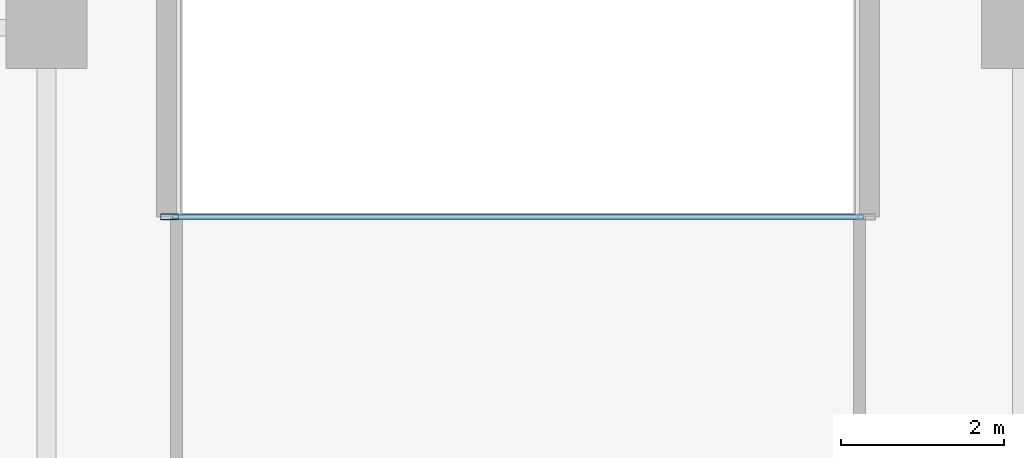
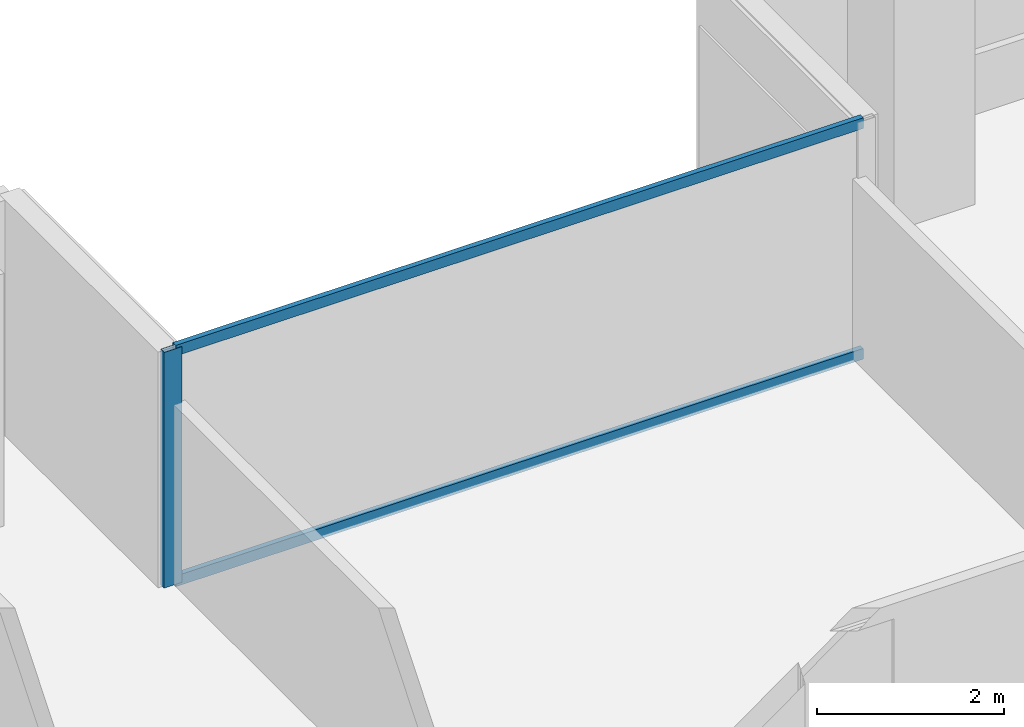
# One storey, part 6 of 23: 3 members, 1 element without a shape of its own.
"""IFC4 building model written with IfcOpenShell, lengths in metres."""

from ifc_helpers import new_model, si_unit, direction, frame, origin, origin_2d, place, context, subcontext, project, spatial, hollow_rectangle, extrude, material, layer, layer_set, material_profile, profile_set, type_object, element, aggregate, save


model = new_model("IFC4")

# Units and contexts
model_context = context("Model", 3, precision=1e-05, world=origin(), true_north=direction((0.0, 1.0)))
body_context = subcontext(model_context, "Body", "Model", "MODEL_VIEW")
ifc_project = project(units=[si_unit("LENGTHUNIT", "METRE"), si_unit("AREAUNIT", "SQUARE_METRE"), si_unit("VOLUMEUNIT", "CUBIC_METRE"), si_unit("PLANEANGLEUNIT", "RADIAN"), si_unit("MASSUNIT", "GRAM", prefix="KILO")], contexts=[model_context])

# Site, building, storey
site_placement = place(None, origin())
site = spatial("IfcSite", under=ifc_project, at=site_placement, CompositionType="ELEMENT")
building_placement = place(site_placement, origin())
building = spatial("IfcBuilding", under=site, at=building_placement, Name="Tanjung Sevakor Pilgrim Tower", CompositionType="ELEMENT")
storey_placement = place(building_placement, frame((0.0, 0.0, 98.669921875)))
storey = spatial("IfcBuildingStorey", under=building, at=storey_placement, Name="L27", CompositionType="ELEMENT", Elevation=98.669921875)

# Curtain wall, members
ifc_material_1 = material(Name="Aluminium 6063-T6 and Low-E Glass", Category="aluminium")
ifc_layer = layer(ifc_material_1, 0.179931640625)
ifc_layer_set = layer_set([ifc_layer], Name="CW-SYS-CLEFT")
curtain_wall_type = type_object("IfcCurtainWallType", Name="CW-SYS-CLEFT", PredefinedType="NOTDEFINED", material=ifc_layer_set)
curtain_wall_placement = place(storey_placement, origin())
curtain_wall = element("IfcCurtainWall", 1, at=curtain_wall_placement, inside=storey, type_object=curtain_wall_type, Name="L27 Curtain Wall CW-CLF-L27-10", PredefinedType="NOTDEFINED")
ifc_material_2 = material(Name="Aluminium 6063-T6", Category="aluminium")
ifc_material_profile_1 = material_profile(ifc_material_2, hollow_rectangle(XDim=0.074951171875, YDim=0.219970703125, WallThickness=0.0048828125, at=origin_2d()))
ifc_profile_set_1 = profile_set([ifc_material_profile_1], Name="Aluminium 6063-T6")
member_type_1 = type_object("IfcMemberType", Name="TYPE-CWM-2", PredefinedType="MULLION", material=ifc_profile_set_1)
member_1_placement = place(storey_placement, frame((43.512451171875, 54.074951171875, 0.0), z_axis=(0.0, 0.0, 1.0), x_axis=(0.0, -1.0, 0.0)))
member_1 = element("IfcMember", 2, at=member_1_placement, type_object=member_type_1, Name="CW-CLF mullion 2", PredefinedType="MULLION", context=body_context, shape_type="SweptSolid", body=[
    extrude(hollow_rectangle(XDim=0.074951171875, YDim=0.219970703125, WallThickness=0.0048828125, at=origin_2d()), origin(), (0.0, 0.0, 1.0), 3.080078125),
])
ifc_material_3 = material(Name="Aluminium 6063-T6", Category="aluminium")
ifc_material_profile_2 = material_profile(ifc_material_3, hollow_rectangle(XDim=0.06494140625, YDim=0.139892578125, WallThickness=0.00390625, at=origin_2d()))
ifc_profile_set_2 = profile_set([ifc_material_profile_2], Name="Aluminium 6063-T6")
member_type_2 = type_object("IfcMemberType", Name="TYPE-CWT-1", PredefinedType="USERDEFINED", material=ifc_profile_set_2)
member_2_placement = place(storey_placement, frame((52.050048828125, 54.074951171875, 0.032470703125), z_axis=(-1.0, 0.0, 0.0), x_axis=(0.0, -1.0, 0.0)))
member_2 = element("IfcMember", 3, at=member_2_placement, type_object=member_type_2, Name="CW-CLF transom 1.1", ObjectType="TRANSOM", PredefinedType="USERDEFINED", context=body_context, shape_type="SweptSolid", body=[
    extrude(hollow_rectangle(XDim=0.06494140625, YDim=0.139892578125, WallThickness=0.00390625, at=origin_2d()), origin(), (0.0, 0.0, 1.0), 8.5),
])
member_3_placement = place(storey_placement, frame((52.050048828125, 54.074951171875, 3.047607421875), z_axis=(-1.0, 0.0, 0.0), x_axis=(0.0, -1.0, 0.0)))
member_3 = element("IfcMember", 4, at=member_3_placement, type_object=member_type_2, Name="CW-CLF transom 1.2", ObjectType="TRANSOM", PredefinedType="USERDEFINED", context=body_context, shape_type="SweptSolid", body=[
    extrude(hollow_rectangle(XDim=0.06494140625, YDim=0.139892578125, WallThickness=0.00390625, at=origin_2d()), origin(), (0.0, 0.0, 1.0), 8.5),
])
aggregate(curtain_wall, [member_1, member_2, member_3])

save(model, "model.ifc")
